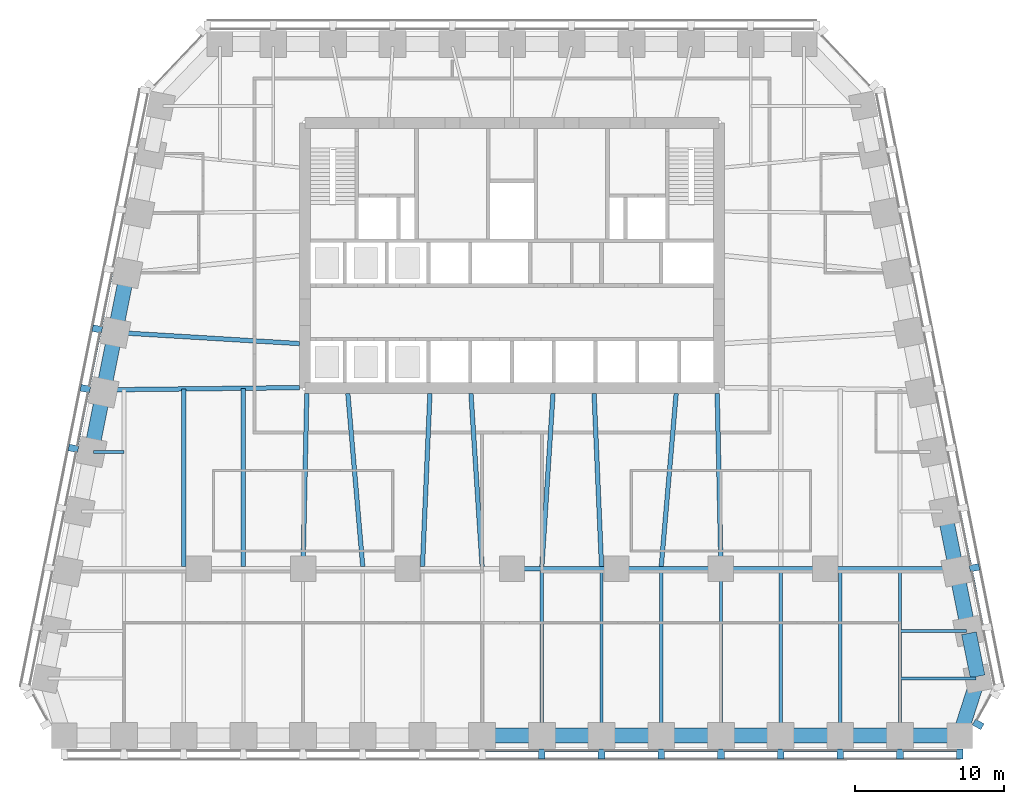
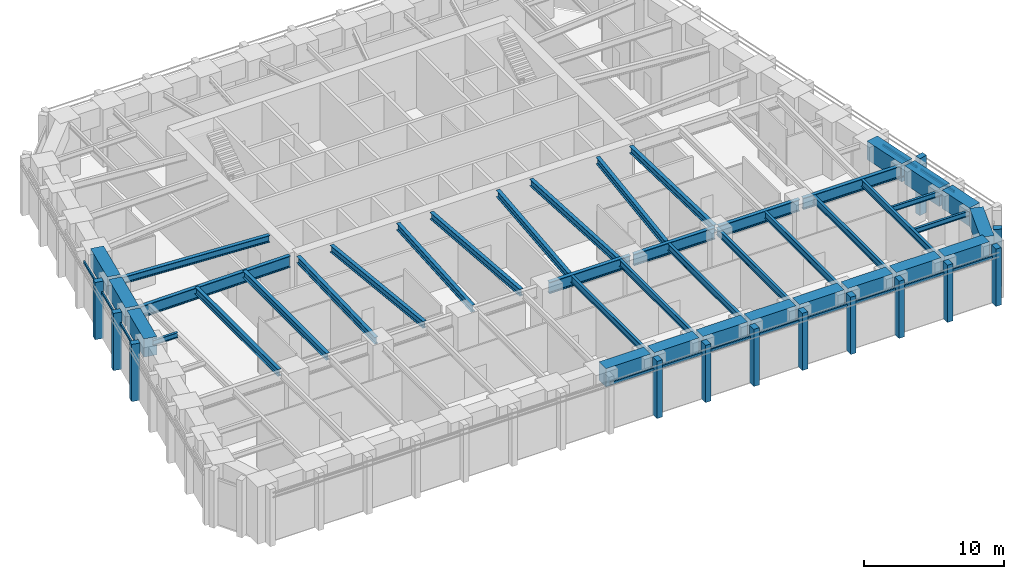
# One storey, part 2 of 11: 41 beams, 26 members, 4 elements without a shape of their own.
"""IFC4 building model written with IfcOpenShell, lengths in metres."""

from ifc_helpers import new_model, si_unit, direction, frame, origin, origin_2d, place, context, subcontext, project, spatial, rectangle, i_section, extrude, material, material_profile, profile_set, type_object, element, aggregate, save


model = new_model("IFC4")

# Units and contexts
model_context = context("Model", 3, precision=1e-05, world=origin(), true_north=direction((0.0, 1.0)))
body_context = subcontext(model_context, "Body", "Model", "MODEL_VIEW")
ifc_project = project(units=[si_unit("LENGTHUNIT", "METRE"), si_unit("AREAUNIT", "SQUARE_METRE"), si_unit("VOLUMEUNIT", "CUBIC_METRE"), si_unit("PLANEANGLEUNIT", "RADIAN"), si_unit("MASSUNIT", "GRAM", prefix="KILO")], contexts=[model_context])

# Site, building, storey
site_placement = place(None, origin())
site = spatial("IfcSite", under=ifc_project, at=site_placement, CompositionType="ELEMENT")
building_placement = place(site_placement, origin())
building = spatial("IfcBuilding", under=site, at=building_placement, Name="Isbrekke Arena Tower", CompositionType="ELEMENT")
storey_placement = place(building_placement, frame((0.0, 0.0, 98.0)))
storey = spatial("IfcBuildingStorey", under=building, at=storey_placement, Name="L21", CompositionType="ELEMENT", Elevation=98.0)

# Beams
ifc_material_1 = material(Name="Steel S355", Category="steel")
ifc_material_profile_1 = material_profile(ifc_material_1, i_section(OverallWidth=0.219970703125, OverallDepth=0.60009765625, WebThickness=0.011962890625, FlangeThickness=0.01904296875, FilletRadius=0.02392578125, at=origin_2d()), Name="IPE 600")
ifc_profile_set_1 = profile_set([ifc_material_profile_1], Name="Steel S355")
beam_type_1 = type_object("IfcBeamType", Name="B1 IPE 600", PredefinedType="BEAM", material=ifc_profile_set_1)
for number, where, z_axis, x_axis, name in (
    (1, (2.0, -17.02490234375, 4.550048828125), (0.0, 1.0, 0.0), (-1.0, 0.0, 0.0), "B1 beam S-S09 L21"),
    (2, (6.0, -17.02490234375, 4.550048828125), (0.0, 1.0, 0.0), (-1.0, 0.0, 0.0), "B1 beam S-S10 L21"),
    (3, (10.0, -17.02490234375, 4.550048828125), (0.0, 1.0, 0.0), (-1.0, 0.0, 0.0), "B1 beam S-S11 L21"),
):
    element("IfcBeam", number, at=place(storey_placement, frame(where, z_axis=z_axis, x_axis=x_axis)), inside=storey, type_object=beam_type_1, Name=name, PredefinedType="BEAM", context=body_context, shape_type="SweptSolid", body=[
        extrude(i_section(OverallWidth=0.219970703125, OverallDepth=0.60009765625, WebThickness=0.011962890625, FlangeThickness=0.01904296875, FilletRadius=0.02392578125, at=origin_2d()), origin(), (0.0, 0.0, 1.0), 10.8740234375),
    ])
beam_1_placement = place(storey_placement, frame((14.0, -17.02490234375, 4.550048828125), z_axis=(0.0, 1.0, 0.0), x_axis=(-1.0, 0.0, 0.0)))
element("IfcBeam", 4, at=beam_1_placement, inside=storey, type_object=beam_type_1, Name="B1 beam S-S12 L21", PredefinedType="BEAM", context=body_context, shape_type="SweptSolid", body=[
    extrude(i_section(OverallWidth=0.219970703125, OverallDepth=0.60009765625, WebThickness=0.011962890625, FlangeThickness=0.01904296875, FilletRadius=0.02392578125, at=origin_2d()), origin(), (0.0, 0.0, 1.0), 10.875),
])
for number, where, z_axis, x_axis, name in (
    (5, (18.0, -17.02490234375, 4.550048828125), (0.0, 1.0, 0.0), (-1.0, 0.0, 0.0), "B1 beam S-S13 L21"),
    (6, (22.0, -17.02490234375, 4.550048828125), (0.0, 1.0, 0.0), (-1.0, 0.0, 0.0), "B1 beam S-S14 L21"),
    (7, (26.0, -17.02490234375, 4.550048828125), (0.0, 1.0, 0.0), (-1.0, 0.0, 0.0), "B1 beam S-S15 L21"),
):
    element("IfcBeam", number, at=place(storey_placement, frame(where, z_axis=z_axis, x_axis=x_axis)), inside=storey, type_object=beam_type_1, Name=name, PredefinedType="BEAM", context=body_context, shape_type="SweptSolid", body=[
        extrude(i_section(OverallWidth=0.219970703125, OverallDepth=0.60009765625, WebThickness=0.011962890625, FlangeThickness=0.01904296875, FilletRadius=0.02392578125, at=origin_2d()), origin(), (0.0, 0.0, 1.0), 10.8740234375),
    ])
ifc_material_2 = material(Name="Steel S355", Category="steel")
ifc_material_profile_2 = material_profile(ifc_material_2, i_section(OverallWidth=0.18994140625, OverallDepth=0.449951171875, WebThickness=0.009521484375, FlangeThickness=0.0146484375, FilletRadius=0.02099609375, at=origin_2d()), Name="IPE 450")
ifc_profile_set_2 = profile_set([ifc_material_profile_2], Name="Steel S355")
beam_type_2 = type_object("IfcBeamType", Name="B2 IPE 450", PredefinedType="BEAM", material=ifc_profile_set_2)
beam_2_placement = place(storey_placement, frame((31.079345703125, -13.352783203125, 4.625), z_axis=(-1.0, 0.0, 0.0), x_axis=(0.0, -1.0, 0.0)))
element("IfcBeam", 8, at=beam_2_placement, inside=storey, type_object=beam_type_2, Name="B2 beam E-E01 L21", PredefinedType="BEAM", context=body_context, shape_type="SweptSolid", body=[
    extrude(i_section(OverallWidth=0.18994140625, OverallDepth=0.449951171875, WebThickness=0.009521484375, FlangeThickness=0.0146484375, FilletRadius=0.02099609375, at=origin_2d()), origin(), (0.0, 0.0, 1.0), 5.079345703125),
])
beam_3_placement = place(storey_placement, frame((30.44091796875, -10.161865234375, 4.625), z_axis=(-1.0, 0.0, 0.0), x_axis=(0.0, -1.0, 0.0)))
element("IfcBeam", 9, at=beam_3_placement, inside=storey, type_object=beam_type_2, Name="B2 beam E-E02 L21", PredefinedType="BEAM", context=body_context, shape_type="SweptSolid", body=[
    extrude(i_section(OverallWidth=0.18994140625, OverallDepth=0.449951171875, WebThickness=0.009521484375, FlangeThickness=0.0146484375, FilletRadius=0.02099609375, at=origin_2d()), origin(), (0.0, 0.0, 1.0), 4.44091796875),
])
beam_4_placement = place(storey_placement, frame((-28.041015625, 1.838134765625, 4.625), z_axis=(1.0, 0.0, 0.0), x_axis=(0.0, 1.0, 0.0)))
element("IfcBeam", 10, at=beam_4_placement, inside=storey, type_object=beam_type_2, Name="B2 beam E-W07 L21", PredefinedType="BEAM", context=body_context, shape_type="SweptSolid", body=[
    extrude(i_section(OverallWidth=0.18994140625, OverallDepth=0.449951171875, WebThickness=0.009521484375, FlangeThickness=0.0146484375, FilletRadius=0.02099609375, at=origin_2d()), origin(), (0.0, 0.0, 1.0), 2.041015625),
])
ifc_material_3 = material(Name="Steel S355", Category="steel")
ifc_material_profile_3 = material_profile(ifc_material_3, i_section(OverallWidth=0.300048828125, OverallDepth=0.60009765625, WebThickness=0.015380859375, FlangeThickness=0.030029296875, FilletRadius=0.027099609375, at=origin_2d()), Name="HEB 600")
ifc_profile_set_3 = profile_set([ifc_material_profile_3], Name="Steel S355")
beam_type_3 = type_object("IfcBeamType", Name="B7 HEB 600", PredefinedType="BEAM", material=ifc_profile_set_3)
beam_5_placement = place(storey_placement, frame((-22.0, -5.84912109375, 4.550048828125), z_axis=(0.0, 1.0, 0.0), x_axis=(-1.0, 0.0, 0.0)))
element("IfcBeam", 11, at=beam_5_placement, inside=storey, type_object=beam_type_3, Name="B7 beam C-M02 L21", PredefinedType="BEAM", context=body_context, shape_type="SweptSolid", body=[
    extrude(i_section(OverallWidth=0.300048828125, OverallDepth=0.60009765625, WebThickness=0.015380859375, FlangeThickness=0.030029296875, FilletRadius=0.027099609375, at=origin_2d()), origin(), (0.0, 0.0, 1.0), 11.91064453125),
])
beam_6_placement = place(storey_placement, frame((-18.0, -5.84912109375, 4.550048828125), z_axis=(0.0, 1.0, 0.0), x_axis=(-1.0, 0.0, 0.0)))
element("IfcBeam", 12, at=beam_6_placement, inside=storey, type_object=beam_type_3, Name="B7 beam C-M03 L21", PredefinedType="BEAM", context=body_context, shape_type="SweptSolid", body=[
    extrude(i_section(OverallWidth=0.300048828125, OverallDepth=0.60009765625, WebThickness=0.015380859375, FlangeThickness=0.030029296875, FilletRadius=0.027099609375, at=origin_2d()), origin(), (0.0, 0.0, 1.0), 11.956298828125),
])
beam_7_placement = place(storey_placement, frame((-14.0, -5.8466796875, 4.550048828125), z_axis=(0.021552887044, 0.999767709551, 0.0), x_axis=(-0.999767709551, 0.021552887044, 0.0)))
element("IfcBeam", 13, at=beam_7_placement, inside=storey, type_object=beam_type_3, Name="B7 beam C-M04 L21", PredefinedType="BEAM", context=body_context, shape_type="SweptSolid", body=[
    extrude(i_section(OverallWidth=0.300048828125, OverallDepth=0.60009765625, WebThickness=0.015380859375, FlangeThickness=0.030029296875, FilletRadius=0.027099609375, at=origin_2d()), origin(), (0.0, 0.0, 1.0), 11.599365234375),
])
beam_8_placement = place(storey_placement, frame((-10.001220703125, -5.836181640625, 4.550048828125), z_axis=(-0.085885827104, 0.996304985786, 0.0), x_axis=(-0.996304985786, -0.085885827104, 0.0)))
element("IfcBeam", 14, at=beam_8_placement, inside=storey, type_object=beam_type_3, Name="B7 beam C-M05 L21", PredefinedType="BEAM", context=body_context, shape_type="SweptSolid", body=[
    extrude(i_section(OverallWidth=0.300048828125, OverallDepth=0.60009765625, WebThickness=0.015380859375, FlangeThickness=0.030029296875, FilletRadius=0.027099609375, at=origin_2d()), origin(), (0.0, 0.0, 1.0), 11.629150390625),
])
beam_9_placement = place(storey_placement, frame((-5.999755859375, -5.842529296875, 4.550048828125), z_axis=(0.043070161667, 0.999072050041, 0.0), x_axis=(-0.999072050041, 0.043070161667, 0.0)))
element("IfcBeam", 15, at=beam_9_placement, inside=storey, type_object=beam_type_3, Name="B7 beam C-M06 L21", PredefinedType="BEAM", context=body_context, shape_type="SweptSolid", body=[
    extrude(i_section(OverallWidth=0.300048828125, OverallDepth=0.60009765625, WebThickness=0.015380859375, FlangeThickness=0.030029296875, FilletRadius=0.027099609375, at=origin_2d()), origin(), (0.0, 0.0, 1.0), 11.603271484375),
])
for number, where, z_axis, x_axis, name in (
    (16, (-2.000732421875, -5.83935546875, 4.550048828125), (-0.064516666031, 0.997916629686, 0.0), (-0.997916629686, -0.064516666031, 0.0), "B7 beam C-M07 L21"),
    (17, (2.000732421875, -5.83935546875, 4.550048828125), (0.064516666031, 0.997916629686, 0.0), (-0.997916629686, 0.064516666031, 0.0), "B7 beam C-M08 L21"),
):
    element("IfcBeam", number, at=place(storey_placement, frame(where, z_axis=z_axis, x_axis=x_axis)), inside=storey, type_object=beam_type_3, Name=name, PredefinedType="BEAM", context=body_context, shape_type="SweptSolid", body=[
        extrude(i_section(OverallWidth=0.300048828125, OverallDepth=0.60009765625, WebThickness=0.015380859375, FlangeThickness=0.030029296875, FilletRadius=0.027099609375, at=origin_2d()), origin(), (0.0, 0.0, 1.0), 11.613525390625),
    ])
beam_10_placement = place(storey_placement, frame((5.999755859375, -5.842529296875, 4.550048828125), z_axis=(-0.043070161667, 0.999072050041, 0.0), x_axis=(-0.999072050041, -0.043070161667, 0.0)))
element("IfcBeam", 18, at=beam_10_placement, inside=storey, type_object=beam_type_3, Name="B7 beam C-M09 L21", PredefinedType="BEAM", context=body_context, shape_type="SweptSolid", body=[
    extrude(i_section(OverallWidth=0.300048828125, OverallDepth=0.60009765625, WebThickness=0.015380859375, FlangeThickness=0.030029296875, FilletRadius=0.027099609375, at=origin_2d()), origin(), (0.0, 0.0, 1.0), 11.603271484375),
])
beam_11_placement = place(storey_placement, frame((10.001220703125, -5.836181640625, 4.550048828125), z_axis=(0.085885827104, 0.996304985786, 0.0), x_axis=(-0.996304985786, 0.085885827104, 0.0)))
element("IfcBeam", 19, at=beam_11_placement, inside=storey, type_object=beam_type_3, Name="B7 beam C-M10 L21", PredefinedType="BEAM", context=body_context, shape_type="SweptSolid", body=[
    extrude(i_section(OverallWidth=0.300048828125, OverallDepth=0.60009765625, WebThickness=0.015380859375, FlangeThickness=0.030029296875, FilletRadius=0.027099609375, at=origin_2d()), origin(), (0.0, 0.0, 1.0), 11.629150390625),
])
beam_12_placement = place(storey_placement, frame((14.0, -5.8466796875, 4.550048828125), z_axis=(-0.021552887044, 0.999767709551, 0.0), x_axis=(-0.999767709551, -0.021552887044, 0.0)))
element("IfcBeam", 20, at=beam_12_placement, inside=storey, type_object=beam_type_3, Name="B7 beam C-M11 L21", PredefinedType="BEAM", context=body_context, shape_type="SweptSolid", body=[
    extrude(i_section(OverallWidth=0.300048828125, OverallDepth=0.60009765625, WebThickness=0.015380859375, FlangeThickness=0.030029296875, FilletRadius=0.027099609375, at=origin_2d()), origin(), (0.0, 0.0, 1.0), 11.599365234375),
])
beam_13_placement = place(storey_placement, frame((-26.431884765625, 9.837646484375, 4.550048828125), z_axis=(0.998172191876, -0.060434057993, 0.0), x_axis=(0.060434057993, 0.998172191876, 0.0)))
element("IfcBeam", 21, at=beam_13_placement, inside=storey, type_object=beam_type_3, Name="B7 beam E-W05 L21", PredefinedType="BEAM", context=body_context, shape_type="SweptSolid", body=[
    extrude(i_section(OverallWidth=0.300048828125, OverallDepth=0.60009765625, WebThickness=0.015380859375, FlangeThickness=0.030029296875, FilletRadius=0.027099609375, at=origin_2d()), origin(), (0.0, 0.0, 1.0), 12.2041015625),
])

# Curtain wall, members
ifc_material_4 = material(Name="Glazed aluminium curtain wall", Category="aluminium")
curtain_wall_type = type_object("IfcCurtainWallType", Name="CWS SKY LOBBY CURTAIN WALL", PredefinedType="USERDEFINED", material=ifc_material_4)
curtain_wall_1_placement = place(storey_placement, origin())
curtain_wall_1 = element("IfcCurtainWall", 22, at=curtain_wall_1_placement, inside=storey, type_object=curtain_wall_type, Name="CWS curtain wall L21-S", ObjectType="SKY LOBBY CURTAIN WALL", PredefinedType="USERDEFINED")
ifc_material_5 = material(Name="Aluminium mullion, pale brick slip cladding", Category="masonry")
ifc_material_profile_4 = material_profile(ifc_material_5, rectangle(XDim=0.449951171875, YDim=0.64990234375, at=origin_2d()), Name="PIER 450X650")
ifc_profile_set_4 = profile_set([ifc_material_profile_4], Name="Aluminium mullion, pale brick slip cladding")
member_type_1 = type_object("IfcMemberType", Name="CWS-M PIER MULLION 450 x 650", PredefinedType="MULLION", material=ifc_profile_set_4)
member_1_placement = place(storey_placement, frame((2.0, -18.39990234375, 0.0), z_axis=(0.0, 0.0, 1.0), x_axis=(1.0, 0.0, 0.0)))
member_1 = element("IfcMember", 23, at=member_1_placement, type_object=member_type_1, Name="CWS-M mullion 9", PredefinedType="MULLION", context=body_context, shape_type="SweptSolid", body=[
    extrude(rectangle(XDim=0.449951171875, YDim=0.64990234375, at=origin_2d()), origin(), (0.0, 0.0, 1.0), 5.0),
])
member_2_placement = place(storey_placement, frame((6.0, -18.39990234375, 0.0), z_axis=(0.0, 0.0, 1.0), x_axis=(1.0, 0.0, 0.0)))
member_2 = element("IfcMember", 24, at=member_2_placement, type_object=member_type_1, Name="CWS-M mullion 10", PredefinedType="MULLION", context=body_context, shape_type="SweptSolid", body=[
    extrude(rectangle(XDim=0.449951171875, YDim=0.64990234375, at=origin_2d()), origin(), (0.0, 0.0, 1.0), 5.0),
])
member_3_placement = place(storey_placement, frame((10.0, -18.39990234375, 0.0), z_axis=(0.0, 0.0, 1.0), x_axis=(1.0, 0.0, 0.0)))
member_3 = element("IfcMember", 25, at=member_3_placement, type_object=member_type_1, Name="CWS-M mullion 11", PredefinedType="MULLION", context=body_context, shape_type="SweptSolid", body=[
    extrude(rectangle(XDim=0.449951171875, YDim=0.64990234375, at=origin_2d()), origin(), (0.0, 0.0, 1.0), 5.0),
])
member_4_placement = place(storey_placement, frame((14.0, -18.39990234375, 0.0), z_axis=(0.0, 0.0, 1.0), x_axis=(1.0, 0.0, 0.0)))
member_4 = element("IfcMember", 26, at=member_4_placement, type_object=member_type_1, Name="CWS-M mullion 12", PredefinedType="MULLION", context=body_context, shape_type="SweptSolid", body=[
    extrude(rectangle(XDim=0.449951171875, YDim=0.64990234375, at=origin_2d()), origin(), (0.0, 0.0, 1.0), 5.0),
])
member_5_placement = place(storey_placement, frame((18.0, -18.39990234375, 0.0), z_axis=(0.0, 0.0, 1.0), x_axis=(1.0, 0.0, 0.0)))
member_5 = element("IfcMember", 27, at=member_5_placement, type_object=member_type_1, Name="CWS-M mullion 13", PredefinedType="MULLION", context=body_context, shape_type="SweptSolid", body=[
    extrude(rectangle(XDim=0.449951171875, YDim=0.64990234375, at=origin_2d()), origin(), (0.0, 0.0, 1.0), 5.0),
])
member_6_placement = place(storey_placement, frame((22.0, -18.39990234375, 0.0), z_axis=(0.0, 0.0, 1.0), x_axis=(1.0, 0.0, 0.0)))
member_6 = element("IfcMember", 28, at=member_6_placement, type_object=member_type_1, Name="CWS-M mullion 14", PredefinedType="MULLION", context=body_context, shape_type="SweptSolid", body=[
    extrude(rectangle(XDim=0.449951171875, YDim=0.64990234375, at=origin_2d()), origin(), (0.0, 0.0, 1.0), 5.0),
])
member_7_placement = place(storey_placement, frame((26.0, -18.39990234375, 0.0), z_axis=(0.0, 0.0, 1.0), x_axis=(1.0, 0.0, 0.0)))
member_7 = element("IfcMember", 29, at=member_7_placement, type_object=member_type_1, Name="CWS-M mullion 15", PredefinedType="MULLION", context=body_context, shape_type="SweptSolid", body=[
    extrude(rectangle(XDim=0.449951171875, YDim=0.64990234375, at=origin_2d()), origin(), (0.0, 0.0, 1.0), 5.0),
])
member_8_placement = place(storey_placement, frame((30.0, -18.39990234375, 0.0), z_axis=(0.0, 0.0, 1.0), x_axis=(1.0, 0.0, 0.0)))
member_8 = element("IfcMember", 30, at=member_8_placement, type_object=member_type_1, Name="CWS-M mullion 16", PredefinedType="MULLION", context=body_context, shape_type="SweptSolid", body=[
    extrude(rectangle(XDim=0.449951171875, YDim=0.64990234375, at=origin_2d()), origin(), (0.0, 0.0, 1.0), 5.0),
])

# Curtain wall, member
curtain_wall_2_placement = place(storey_placement, origin())
curtain_wall_2 = element("IfcCurtainWall", 31, at=curtain_wall_2_placement, inside=storey, type_object=curtain_wall_type, Name="CWS curtain wall L21-SE", ObjectType="SKY LOBBY CURTAIN WALL", PredefinedType="USERDEFINED")
member_9_placement = place(storey_placement, frame((31.240966796875, -16.418212890625, 0.0), z_axis=(0.0, 0.0, 1.0), x_axis=(0.481918749773, 0.876215908676, 0.0)))
member_9 = element("IfcMember", 32, at=member_9_placement, type_object=member_type_1, Name="CWS-M mullion 1", PredefinedType="MULLION", context=body_context, shape_type="SweptSolid", body=[
    extrude(rectangle(XDim=0.449951171875, YDim=0.64990234375, at=origin_2d()), origin(), (0.0, 0.0, 1.0), 5.0),
])
aggregate(curtain_wall_2, [member_9])

curtain_wall_3_placement = place(storey_placement, origin())
curtain_wall_3 = element("IfcCurtainWall", 33, at=curtain_wall_3_placement, inside=storey, type_object=curtain_wall_type, Name="CWS curtain wall L21-E", ObjectType="SKY LOBBY CURTAIN WALL", PredefinedType="USERDEFINED")
member_10_placement = place(storey_placement, frame((30.9921875, -5.921630859375, 0.0), z_axis=(0.0, 0.0, 1.0), x_axis=(-0.196116135138, 0.980580675691, 0.0)))
member_10 = element("IfcMember", 34, at=member_10_placement, type_object=member_type_1, Name="CWS-M mullion 3", PredefinedType="MULLION", context=body_context, shape_type="SweptSolid", body=[
    extrude(rectangle(XDim=0.449951171875, YDim=0.64990234375, at=origin_2d()), origin(), (0.0, 0.0, 1.0), 5.0),
])

# Curtain wall, members
curtain_wall_4_placement = place(storey_placement, origin())
curtain_wall_4 = element("IfcCurtainWall", 35, at=curtain_wall_4_placement, inside=storey, type_object=curtain_wall_type, Name="CWS curtain wall L21-W", ObjectType="SKY LOBBY CURTAIN WALL", PredefinedType="USERDEFINED")
member_11_placement = place(storey_placement, frame((-27.792236328125, 10.078369140625, 0.0), z_axis=(0.0, 0.0, 1.0), x_axis=(-0.196116135138, -0.980580675691, 0.0)))
member_11 = element("IfcMember", 36, at=member_11_placement, type_object=member_type_1, Name="CWS-M mullion 5", PredefinedType="MULLION", context=body_context, shape_type="SweptSolid", body=[
    extrude(rectangle(XDim=0.449951171875, YDim=0.64990234375, at=origin_2d()), origin(), (0.0, 0.0, 1.0), 5.0),
])
member_12_placement = place(storey_placement, frame((-28.59228515625, 6.078369140625, 0.0), z_axis=(0.0, 0.0, 1.0), x_axis=(-0.196116135138, -0.980580675691, 0.0)))
member_12 = element("IfcMember", 37, at=member_12_placement, type_object=member_type_1, Name="CWS-M mullion 6", PredefinedType="MULLION", context=body_context, shape_type="SweptSolid", body=[
    extrude(rectangle(XDim=0.449951171875, YDim=0.64990234375, at=origin_2d()), origin(), (0.0, 0.0, 1.0), 5.0),
])
member_13_placement = place(storey_placement, frame((-29.392333984375, 2.078369140625, 0.0), z_axis=(0.0, 0.0, 1.0), x_axis=(-0.196116135138, -0.980580675691, 0.0)))
member_13 = element("IfcMember", 38, at=member_13_placement, type_object=member_type_1, Name="CWS-M mullion 7", PredefinedType="MULLION", context=body_context, shape_type="SweptSolid", body=[
    extrude(rectangle(XDim=0.449951171875, YDim=0.64990234375, at=origin_2d()), origin(), (0.0, 0.0, 1.0), 5.0),
])

# Member
ifc_material_6 = material(Name="Aluminium transom", Category="aluminium")
ifc_material_profile_5 = material_profile(ifc_material_6, rectangle(XDim=0.1201171875, YDim=0.199951171875, at=origin_2d()), Name="TRANSOM 120X200")
ifc_profile_set_5 = profile_set([ifc_material_profile_5], Name="Aluminium transom")
member_type_2 = type_object("IfcMemberType", Name="CWS-T TRANSOM 120 x 200", PredefinedType="USERDEFINED", material=ifc_profile_set_5)
member_14_placement = place(storey_placement, frame((-1.77490234375, -18.175048828125, 4.0), z_axis=(1.0, 0.0, 0.0), x_axis=(0.0, 1.0, 0.0)))
member_14 = element("IfcMember", 39, at=member_14_placement, type_object=member_type_2, Name="CWS-T transom 8", ObjectType="TRANSOM", PredefinedType="USERDEFINED", context=body_context, shape_type="SweptSolid", body=[
    extrude(rectangle(XDim=0.1201171875, YDim=0.199951171875, at=origin_2d()), origin(), (0.0, 0.0, 1.0), 3.5498046875),
])

member_15_placement = place(storey_placement, frame((2.22509765625, -18.175048828125, 4.0), z_axis=(1.0, 0.0, 0.0), x_axis=(0.0, 1.0, 0.0)))
member_15 = element("IfcMember", 40, at=member_15_placement, type_object=member_type_2, Name="CWS-T transom 9", ObjectType="TRANSOM", PredefinedType="USERDEFINED", context=body_context, shape_type="SweptSolid", body=[
    extrude(rectangle(XDim=0.1201171875, YDim=0.199951171875, at=origin_2d()), origin(), (0.0, 0.0, 1.0), 3.5498046875),
])

member_16_placement = place(storey_placement, frame((6.22509765625, -18.175048828125, 4.0), z_axis=(1.0, 0.0, 0.0), x_axis=(0.0, 1.0, 0.0)))
member_16 = element("IfcMember", 41, at=member_16_placement, type_object=member_type_2, Name="CWS-T transom 10", ObjectType="TRANSOM", PredefinedType="USERDEFINED", context=body_context, shape_type="SweptSolid", body=[
    extrude(rectangle(XDim=0.1201171875, YDim=0.199951171875, at=origin_2d()), origin(), (0.0, 0.0, 1.0), 3.5498046875),
])

member_17_placement = place(storey_placement, frame((10.22509765625, -18.175048828125, 4.0), z_axis=(1.0, 0.0, 0.0), x_axis=(0.0, 1.0, 0.0)))
member_17 = element("IfcMember", 42, at=member_17_placement, type_object=member_type_2, Name="CWS-T transom 11", ObjectType="TRANSOM", PredefinedType="USERDEFINED", context=body_context, shape_type="SweptSolid", body=[
    extrude(rectangle(XDim=0.1201171875, YDim=0.199951171875, at=origin_2d()), origin(), (0.0, 0.0, 1.0), 3.5498046875),
])

member_18_placement = place(storey_placement, frame((14.22509765625, -18.175048828125, 4.0), z_axis=(1.0, 0.0, 0.0), x_axis=(0.0, 1.0, 0.0)))
member_18 = element("IfcMember", 43, at=member_18_placement, type_object=member_type_2, Name="CWS-T transom 12", ObjectType="TRANSOM", PredefinedType="USERDEFINED", context=body_context, shape_type="SweptSolid", body=[
    extrude(rectangle(XDim=0.1201171875, YDim=0.199951171875, at=origin_2d()), origin(), (0.0, 0.0, 1.0), 3.5498046875),
])

member_19_placement = place(storey_placement, frame((18.22509765625, -18.175048828125, 4.0), z_axis=(1.0, 0.0, 0.0), x_axis=(0.0, 1.0, 0.0)))
member_19 = element("IfcMember", 44, at=member_19_placement, type_object=member_type_2, Name="CWS-T transom 13", ObjectType="TRANSOM", PredefinedType="USERDEFINED", context=body_context, shape_type="SweptSolid", body=[
    extrude(rectangle(XDim=0.1201171875, YDim=0.199951171875, at=origin_2d()), origin(), (0.0, 0.0, 1.0), 3.5498046875),
])

member_20_placement = place(storey_placement, frame((22.22509765625, -18.175048828125, 4.0), z_axis=(1.0, 0.0, 0.0), x_axis=(0.0, 1.0, 0.0)))
member_20 = element("IfcMember", 45, at=member_20_placement, type_object=member_type_2, Name="CWS-T transom 14", ObjectType="TRANSOM", PredefinedType="USERDEFINED", context=body_context, shape_type="SweptSolid", body=[
    extrude(rectangle(XDim=0.1201171875, YDim=0.199951171875, at=origin_2d()), origin(), (0.0, 0.0, 1.0), 3.5498046875),
])

member_21_placement = place(storey_placement, frame((26.22509765625, -18.175048828125, 4.0), z_axis=(1.0, 0.0, 0.0), x_axis=(0.0, 1.0, 0.0)))
member_21 = element("IfcMember", 46, at=member_21_placement, type_object=member_type_2, Name="CWS-T transom 15", ObjectType="TRANSOM", PredefinedType="USERDEFINED", context=body_context, shape_type="SweptSolid", body=[
    extrude(rectangle(XDim=0.1201171875, YDim=0.199951171875, at=origin_2d()), origin(), (0.0, 0.0, 1.0), 3.5498046875),
])

aggregate(curtain_wall_1, [member_1, member_2, member_3, member_4, member_5, member_6, member_7, member_8, member_14, member_15, member_16, member_17, member_18, member_19, member_20, member_21])

member_22_placement = place(storey_placement, frame((31.527587890625, -9.7451171875, 4.0), z_axis=(-0.196154943734, 0.980572913173, 0.0), x_axis=(-0.980572913173, -0.196154943734, 0.0)))
member_22 = element("IfcMember", 47, at=member_22_placement, type_object=member_type_2, Name="CWS-T transom 2", ObjectType="TRANSOM", PredefinedType="USERDEFINED", context=body_context, shape_type="SweptSolid", body=[
    extrude(rectangle(XDim=0.1201171875, YDim=0.199951171875, at=origin_2d()), origin(), (0.0, 0.0, 1.0), 3.62939453125),
])

member_23_placement = place(storey_placement, frame((30.7275390625, -5.7451171875, 4.0), z_axis=(-0.196154943734, 0.980572913173, 0.0), x_axis=(-0.980572913173, -0.196154943734, 0.0)))
member_23 = element("IfcMember", 48, at=member_23_placement, type_object=member_type_2, Name="CWS-T transom 3", ObjectType="TRANSOM", PredefinedType="USERDEFINED", context=body_context, shape_type="SweptSolid", body=[
    extrude(rectangle(XDim=0.1201171875, YDim=0.199951171875, at=origin_2d()), origin(), (0.0, 0.0, 1.0), 3.62939453125),
])

aggregate(curtain_wall_3, [member_10, member_22, member_23])

member_24_placement = place(storey_placement, frame((-26.815673828125, 13.813720703125, 4.0), z_axis=(-0.196154943734, -0.980572913173, 0.0), x_axis=(0.980572913173, -0.196154943734, 0.0)))
member_24 = element("IfcMember", 49, at=member_24_placement, type_object=member_type_2, Name="CWS-T transom 4", ObjectType="TRANSOM", PredefinedType="USERDEFINED", context=body_context, shape_type="SweptSolid", body=[
    extrude(rectangle(XDim=0.1201171875, YDim=0.199951171875, at=origin_2d()), origin(), (0.0, 0.0, 1.0), 3.62939453125),
])

member_25_placement = place(storey_placement, frame((-27.61572265625, 9.813720703125, 4.0), z_axis=(-0.196090262229, -0.980585849918, 0.0), x_axis=(0.980585849918, -0.196090262229, 0.0)))
member_25 = element("IfcMember", 50, at=member_25_placement, type_object=member_type_2, Name="CWS-T transom 5", ObjectType="TRANSOM", PredefinedType="USERDEFINED", context=body_context, shape_type="SweptSolid", body=[
    extrude(rectangle(XDim=0.1201171875, YDim=0.199951171875, at=origin_2d()), origin(), (0.0, 0.0, 1.0), 3.62939453125),
])

member_26_placement = place(storey_placement, frame((-28.415771484375, 5.813720703125, 4.0), z_axis=(-0.196090262229, -0.980585849918, 0.0), x_axis=(0.980585849918, -0.196090262229, 0.0)))
member_26 = element("IfcMember", 51, at=member_26_placement, type_object=member_type_2, Name="CWS-T transom 6", ObjectType="TRANSOM", PredefinedType="USERDEFINED", context=body_context, shape_type="SweptSolid", body=[
    extrude(rectangle(XDim=0.1201171875, YDim=0.199951171875, at=origin_2d()), origin(), (0.0, 0.0, 1.0), 3.62939453125),
])

aggregate(curtain_wall_4, [member_11, member_12, member_13, member_24, member_25, member_26])

# Beams
ifc_material_7 = material(Name="Steel S355", Category="steel")
ifc_material_profile_6 = material_profile(ifc_material_7, i_section(OverallWidth=0.302001953125, OverallDepth=1.008056640625, WebThickness=0.02099609375, FlangeThickness=0.0400390625, FilletRadius=0.030029296875, at=origin_2d()), Name="HEM 1000")
ifc_profile_set_6 = profile_set([ifc_material_profile_6], Name="Steel S355")
beam_type_4 = type_object("IfcBeamType", Name="G1 HEM 1000", PredefinedType="BEAM", material=ifc_profile_set_6)
for number, where, z_axis, x_axis, name in (
    (52, (0.14990234375, -6.0, 4.345947265625), (1.0, 0.0, 0.0), (0.0, 1.0, 0.0), "G1 beam G1-05 L21"),
    (53, (7.14990234375, -6.0, 4.345947265625), (1.0, 0.0, 0.0), (0.0, 1.0, 0.0), "G1 beam G1-06 L21"),
    (54, (14.14990234375, -6.0, 4.345947265625), (1.0, 0.0, 0.0), (0.0, 1.0, 0.0), "G1 beam G1-07 L21"),
):
    element("IfcBeam", number, at=place(storey_placement, frame(where, z_axis=z_axis, x_axis=x_axis)), inside=storey, type_object=beam_type_4, Name=name, PredefinedType="BEAM", context=body_context, shape_type="SweptSolid", body=[
        extrude(i_section(OverallWidth=0.302001953125, OverallDepth=1.008056640625, WebThickness=0.02099609375, FlangeThickness=0.0400390625, FilletRadius=0.030029296875, at=origin_2d()), origin(), (0.0, 0.0, 1.0), 6.7001953125),
    ])
beam_14_placement = place(storey_placement, frame((21.14990234375, -6.0, 4.345947265625), z_axis=(1.0, 0.0, 0.0), x_axis=(0.0, 1.0, 0.0)))
element("IfcBeam", 55, at=beam_14_placement, inside=storey, type_object=beam_type_4, Name="G1 beam G1-08 L21", PredefinedType="BEAM", context=body_context, shape_type="SweptSolid", body=[
    extrude(i_section(OverallWidth=0.302001953125, OverallDepth=1.008056640625, WebThickness=0.02099609375, FlangeThickness=0.0400390625, FilletRadius=0.030029296875, at=origin_2d()), origin(), (0.0, 0.0, 1.0), 8.64111328125),
])
ifc_material_8 = material(Name="Steel S355", Category="steel")
ifc_material_profile_7 = material_profile(ifc_material_8, i_section(OverallWidth=0.302001953125, OverallDepth=1.008056640625, WebThickness=0.02099609375, FlangeThickness=0.0400390625, FilletRadius=0.030029296875, at=origin_2d()), Name="HEM 1000")
ifc_profile_set_7 = profile_set([ifc_material_profile_7], Name="Steel S355")
beam_type_5 = type_object("IfcBeamType", Name="G2 HEM 1000", PredefinedType="BEAM", material=ifc_profile_set_7)
beam_15_placement = place(storey_placement, frame((-14.25, 6.14990234375, 4.345947265625), z_axis=(-0.999934928157, -0.011407867963, 0.0), x_axis=(0.011407867963, -0.999934928157, 0.0)))
element("IfcBeam", 56, at=beam_15_placement, inside=storey, type_object=beam_type_5, Name="G2 beam G2-W L21", PredefinedType="BEAM", context=body_context, shape_type="SweptSolid", body=[
    extrude(i_section(OverallWidth=0.302001953125, OverallDepth=1.008056640625, WebThickness=0.02099609375, FlangeThickness=0.0400390625, FilletRadius=0.030029296875, at=origin_2d()), origin(), (0.0, 0.0, 1.0), 13.140380859375),
])
ifc_material_9 = material(Name="Concrete B80 (C80/95)", Category="concrete")
ifc_material_profile_8 = material_profile(ifc_material_9, rectangle(XDim=1.0, YDim=1.60009765625, at=origin_2d()), Name="RC 1000x1600")
ifc_profile_set_8 = profile_set([ifc_material_profile_8], Name="Concrete B80 (C80/95)")
beam_type_6 = type_object("IfcBeamType", Name="SB2 RC 1000 x 1600", PredefinedType="SPANDREL", material=ifc_profile_set_8)
for number, where, z_axis, x_axis, name in (
    (57, (-1.85009765625, -17.175048828125, 4.199951171875), (1.0, 0.0, 0.0), (0.0, 1.0, 0.0), "SB2 spandrel S08-S09 L21"),
    (58, (2.14990234375, -17.175048828125, 4.199951171875), (1.0, 0.0, 0.0), (0.0, 1.0, 0.0), "SB2 spandrel S09-S10 L21"),
    (59, (6.14990234375, -17.175048828125, 4.199951171875), (1.0, 0.0, 0.0), (0.0, 1.0, 0.0), "SB2 spandrel S10-S11 L21"),
    (60, (10.14990234375, -17.175048828125, 4.199951171875), (1.0, 0.0, 0.0), (0.0, 1.0, 0.0), "SB2 spandrel S11-S12 L21"),
    (61, (14.14990234375, -17.175048828125, 4.199951171875), (1.0, 0.0, 0.0), (0.0, 1.0, 0.0), "SB2 spandrel S12-S13 L21"),
    (62, (18.14990234375, -17.175048828125, 4.199951171875), (1.0, 0.0, 0.0), (0.0, 1.0, 0.0), "SB2 spandrel S13-S14 L21"),
    (63, (22.14990234375, -17.175048828125, 4.199951171875), (1.0, 0.0, 0.0), (0.0, 1.0, 0.0), "SB2 spandrel S14-S15 L21"),
    (64, (26.14990234375, -17.175048828125, 4.199951171875), (1.0, 0.0, 0.0), (0.0, 1.0, 0.0), "SB2 spandrel S15-S16 L21"),
):
    element("IfcBeam", number, at=place(storey_placement, frame(where, z_axis=z_axis, x_axis=x_axis)), inside=storey, type_object=beam_type_6, Name=name, PredefinedType="SPANDREL", context=body_context, shape_type="SweptSolid", body=[
        extrude(rectangle(XDim=1.0, YDim=1.60009765625, at=origin_2d()), origin(), (0.0, 0.0, 1.0), 3.7001953125),
    ])
beam_16_placement = place(storey_placement, frame((30.0458984375, -17.0322265625, 4.199951171875), z_axis=(0.306175101476, 0.951975213562, 0.0), x_axis=(-0.951975213562, 0.306175101476, 0.0)))
element("IfcBeam", 65, at=beam_16_placement, inside=storey, type_object=beam_type_6, Name="SB2 spandrel S16-E01 L21", PredefinedType="SPANDREL", context=body_context, shape_type="SweptSolid", body=[
    extrude(rectangle(XDim=1.0, YDim=1.60009765625, at=origin_2d()), origin(), (0.0, 0.0, 1.0), 3.715087890625),
])
beam_17_placement = place(storey_placement, frame((31.19970703125, -13.205810546875, 4.199951171875), z_axis=(-0.196100243168, 0.980583853951, 0.0), x_axis=(-0.980583853951, -0.196100243168, 0.0)))
element("IfcBeam", 66, at=beam_17_placement, inside=storey, type_object=beam_type_6, Name="SB2 spandrel E01-E02 L21", PredefinedType="SPANDREL", context=body_context, shape_type="SweptSolid", body=[
    extrude(rectangle(XDim=1.0, YDim=1.60009765625, at=origin_2d()), origin(), (0.0, 0.0, 1.0), 2.954345703125),
])
beam_18_placement = place(storey_placement, frame((30.5615234375, -10.0146484375, 4.199951171875), z_axis=(-0.1960664412, 0.980590613169, 0.0), x_axis=(-0.980590613169, -0.1960664412, 0.0)))
element("IfcBeam", 67, at=beam_18_placement, inside=storey, type_object=beam_type_6, Name="SB2 spandrel E02-E03 L21", PredefinedType="SPANDREL", context=body_context, shape_type="SweptSolid", body=[
    extrude(rectangle(XDim=1.0, YDim=1.60009765625, at=origin_2d()), origin(), (0.0, 0.0, 1.0), 3.779052734375),
])
beam_19_placement = place(storey_placement, frame((29.76171875, -6.0146484375, 4.199951171875), z_axis=(-0.196128558387, 0.980578190959, 0.0), x_axis=(-0.980578190959, -0.196128558387, 0.0)))
element("IfcBeam", 68, at=beam_19_placement, inside=storey, type_object=beam_type_6, Name="SB2 spandrel E03-E04 L21", PredefinedType="SPANDREL", context=body_context, shape_type="SweptSolid", body=[
    extrude(rectangle(XDim=1.0, YDim=1.60009765625, at=origin_2d()), origin(), (0.0, 0.0, 1.0), 3.779296875),
])
beam_20_placement = place(storey_placement, frame((-25.820556640625, 13.691162109375, 4.199951171875), z_axis=(-0.1960664412, -0.980590613169, 0.0), x_axis=(0.980590613169, -0.1960664412, 0.0)))
element("IfcBeam", 69, at=beam_20_placement, inside=storey, type_object=beam_type_6, Name="SB2 spandrel W04-W05 L21", PredefinedType="SPANDREL", context=body_context, shape_type="SweptSolid", body=[
    extrude(rectangle(XDim=1.0, YDim=1.60009765625, at=origin_2d()), origin(), (0.0, 0.0, 1.0), 3.779052734375),
])
for number, where, z_axis, x_axis, name in (
    (70, (-26.620361328125, 9.691162109375, 4.199951171875), (-0.196128558387, -0.980578190959, 0.0), (0.980578190959, -0.196128558387, 0.0), "SB2 spandrel W05-W06 L21"),
    (71, (-27.42041015625, 5.691162109375, 4.199951171875), (-0.196128558387, -0.980578190959, 0.0), (0.980578190959, -0.196128558387, 0.0), "SB2 spandrel W06-W07 L21"),
):
    element("IfcBeam", number, at=place(storey_placement, frame(where, z_axis=z_axis, x_axis=x_axis)), inside=storey, type_object=beam_type_6, Name=name, PredefinedType="SPANDREL", context=body_context, shape_type="SweptSolid", body=[
        extrude(rectangle(XDim=1.0, YDim=1.60009765625, at=origin_2d()), origin(), (0.0, 0.0, 1.0), 3.779296875),
    ])

save(model, "model.ifc")
